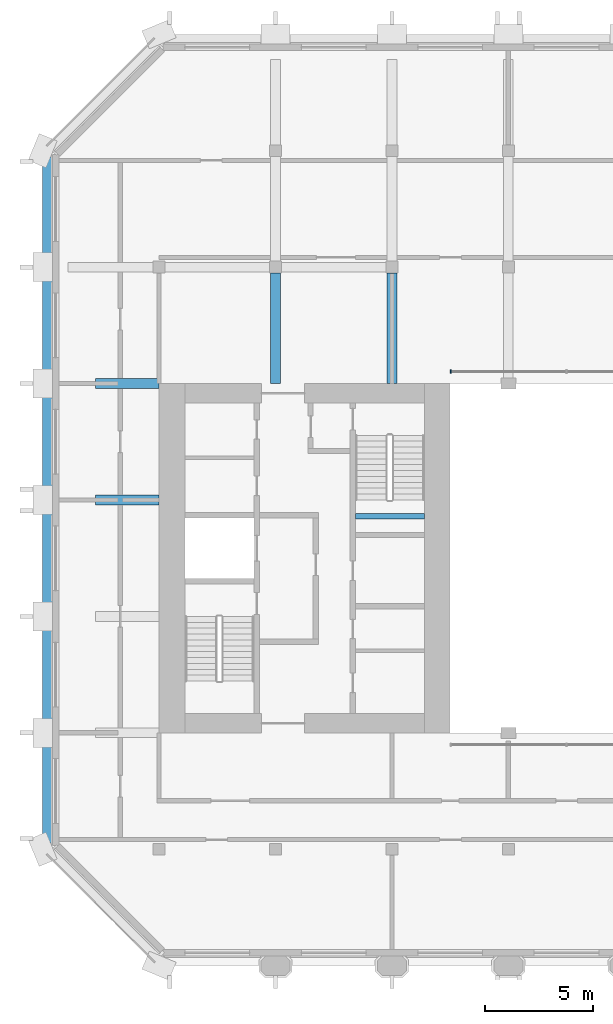
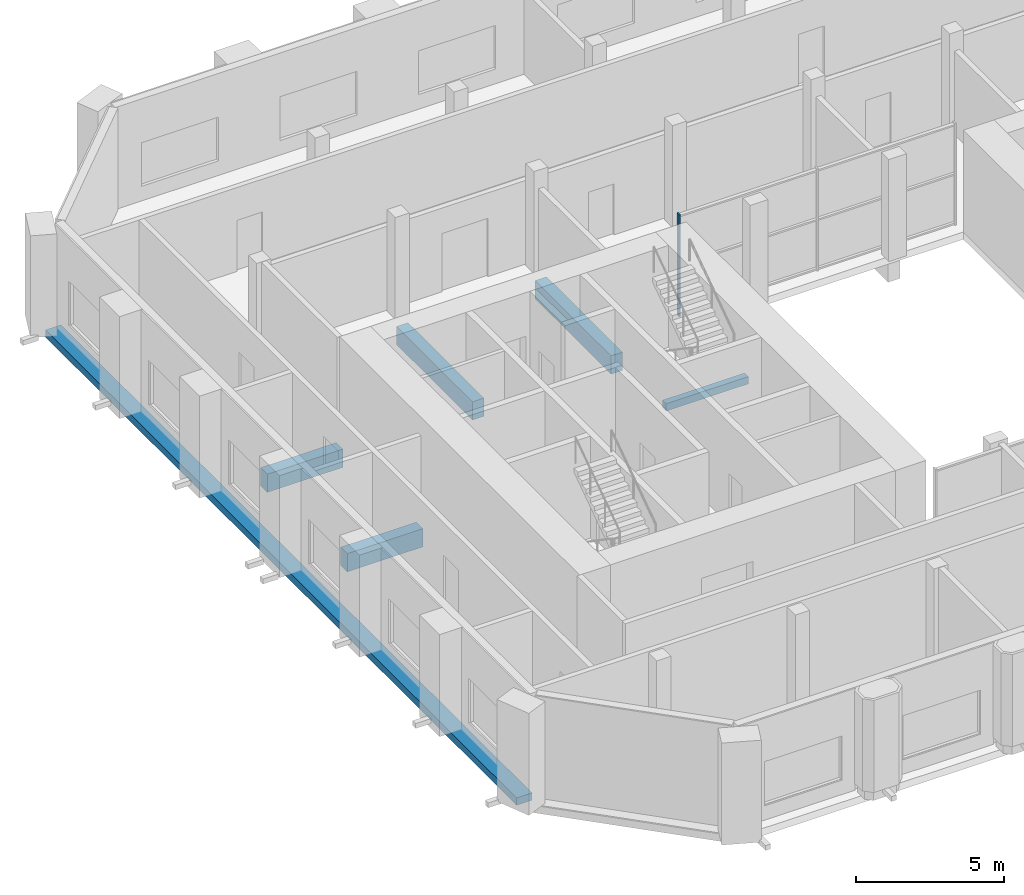
# One storey, part 3 of 11: 6 beams, 1 member, 1 element without a shape of its own.
"""IFC4 building model written with IfcOpenShell, lengths in metres."""

import ifcopenshell
import ifcopenshell.guid

model = None  # the IFC model being written
_history = None  # IfcOwnerHistory: only IFC2X3 demands one
_inside = {}  # id of a spatial element -> (the spatial element, [elements in it])
_under = {}  # id of a project, library or spatial element -> (it, [spatial elements below it])
_declared = {}  # id of a project -> (the project, [libraries it declares])
_typed = {}  # id of a type object -> (the type object, [elements of that type])
_made_of = {}  # id of a material, layer set ... -> (it, [elements and type objects made of it])


def new_model(schema):
    """Start an empty IFC model of exactly this schema.

    Asked for "IFC4X3", IfcOpenShell would pick the latest addendum, in which some entities
    have other attributes; the version numbers below select the first issue.
    IFC2X3 requires an IfcOwnerHistory on every rooted entity: one is made here for all.
    """
    global model, _history
    if schema == "IFC4X3":
        model = ifcopenshell.file(schema_version=(4, 3, 0, 0))
    else:
        model = ifcopenshell.file(schema=schema)
    _inside.clear()
    _under.clear()
    _declared.clear()
    _typed.clear()
    _made_of.clear()
    _history = None
    if model.schema == "IFC2X3":
        org = make("IfcOrganization", Name="unknown")
        user = make(
            "IfcPersonAndOrganization",
            ThePerson=make("IfcPerson", FamilyName="unknown"),
            TheOrganization=org,
        )
        app = make(
            "IfcApplication",
            ApplicationDeveloper=org,
            Version="unknown",
            ApplicationFullName="unknown",
            ApplicationIdentifier="unknown",
        )
        _history = make(
            "IfcOwnerHistory",
            OwningUser=user,
            OwningApplication=app,
            ChangeAction="ADDED",
            CreationDate=0,
        )
    return model


def make(cls, **values):
    """One entity of the class cls with the attributes given. An attribute that is None is left unset."""
    return model.create_entity(
        cls, **{name: value for name, value in values.items() if value is not None}
    )


def rooted(cls, **values):
    """An entity with a GlobalId (a new one), such as an element, a storey or a relation."""
    return make(cls, GlobalId=ifcopenshell.guid.new(), OwnerHistory=_history, **values)


def si_unit(unit_type, name, prefix=None):
    """IfcSIUnit, for example si_unit("LENGTHUNIT", "METRE", prefix="MILLI")."""
    return make("IfcSIUnit", UnitType=unit_type, Prefix=prefix, Name=name)


def assignment(units):
    """IfcUnitAssignment: the units of a project."""
    return None if units is None else make("IfcUnitAssignment", Units=units)


def point(xyz):
    """IfcCartesianPoint."""
    return None if xyz is None else make("IfcCartesianPoint", Coordinates=xyz)


def direction(xyz):
    """IfcDirection."""
    return None if xyz is None else make("IfcDirection", DirectionRatios=xyz)


def frame(location, z_axis=None, x_axis=None):
    """IfcAxis2Placement3D, a coordinate frame: its origin and axes. An axis left out is left unset."""
    return make(
        "IfcAxis2Placement3D",
        Location=point(location),
        Axis=direction(z_axis),
        RefDirection=direction(x_axis),
    )


def frame_2d(location, x_axis=None):
    """IfcAxis2Placement2D, a coordinate frame in the plane: its origin and x axis."""
    return make(
        "IfcAxis2Placement2D", Location=point(location), RefDirection=direction(x_axis)
    )


def origin():
    """The frame at (0, 0, 0) with its axes left unset."""
    return frame((0.0, 0.0, 0.0))


def origin_2d():
    """The frame at (0, 0) in the plane with its x axis left unset."""
    return frame_2d((0.0, 0.0))


def place(relative_to, where):
    """IfcLocalPlacement: puts the frame where relative to a parent placement (None: the world)."""
    return make(
        "IfcLocalPlacement", PlacementRelTo=relative_to, RelativePlacement=where
    )


def context(
    kind, dimensions, precision=None, world=None, true_north=None, identifier=None
):
    """IfcGeometricRepresentationContext, for example the 3D "Model" context."""
    return make(
        "IfcGeometricRepresentationContext",
        ContextIdentifier=identifier,
        ContextType=kind,
        CoordinateSpaceDimension=dimensions,
        Precision=precision,
        WorldCoordinateSystem=world,
        TrueNorth=true_north,
    )


def subcontext(parent, identifier, kind, view, scale=None):
    """IfcGeometricRepresentationSubContext, for example "Body" below "Model"."""
    return make(
        "IfcGeometricRepresentationSubContext",
        ContextIdentifier=identifier,
        ContextType=kind,
        ParentContext=parent,
        TargetScale=scale,
        TargetView=view,
    )


def project(units=None, contexts=None):
    """IfcProject with its units and contexts."""
    return rooted(
        "IfcProject",
        Name="project",
        RepresentationContexts=contexts,
        UnitsInContext=assignment(units),
    )


def spatial(cls, under=None, at=None, **own):
    """A site, building, storey or space (cls), placed at a placement, below another one or the project."""
    s = rooted(cls, ObjectPlacement=at, **own)
    if under is not None:
        _under.setdefault(under.id(), (under, []))[1].append(s)
    return s


def profile(cls, at=None, kind="AREA", **sizes):
    """A parametric profile (cls). Its sizes go by their IFC names, for example OverallWidth=200.0."""
    return make(cls, ProfileType=kind, Position=at, **sizes)


def rectangle(**sizes):
    """IfcRectangleProfileDef."""
    return profile("IfcRectangleProfileDef", **sizes)


def extrude(swept, where, along, depth):
    """IfcExtrudedAreaSolid: the profile swept, set in the frame where, extruded along a direction by depth."""
    return make(
        "IfcExtrudedAreaSolid",
        SweptArea=swept,
        Position=where,
        ExtrudedDirection=direction(along),
        Depth=depth,
    )


def shape(context_of_items, identifier, shape_type, items):
    """IfcShapeRepresentation: the items that make up one representation, for example the "Body"."""
    return make(
        "IfcShapeRepresentation",
        ContextOfItems=context_of_items,
        RepresentationIdentifier=identifier,
        RepresentationType=shape_type,
        Items=items,
    )


def material(Name=None, Category=None):
    """IfcMaterial."""
    return make("IfcMaterial", Name=Name, Category=Category)


def material_profile(
    of_material, cross_section, Name=None, Category=None, Priority=None
):
    """IfcMaterialProfile: a cross section and its material."""
    return make(
        "IfcMaterialProfile",
        Name=Name,
        Material=of_material,
        Profile=cross_section,
        Priority=Priority,
        Category=Category,
    )


def profile_set(profiles, Name=None, composite=None):
    """IfcMaterialProfileSet."""
    return make(
        "IfcMaterialProfileSet",
        Name=Name,
        MaterialProfiles=profiles,
        CompositeProfile=composite,
    )


def made_of(thing, what):
    """Note that an element or type object is made of a material, layer set ...; save() writes the relation."""
    if what is not None:
        _made_of.setdefault(what.id(), (what, []))[1].append(thing)
    return thing


def type_object(cls, material=None, **own):
    """A type object (cls), such as IfcWallType, which elements share."""
    return made_of(rooted(cls, **own), material)


def element(
    cls,
    number,
    at=None,
    inside=None,
    cuts=None,
    type_object=None,
    material=None,
    context=None,
    identifier="Body",
    shape_type=None,
    held_by="IfcProductDefinitionShape",
    body=None,
    shapes=None,
    **own,
):
    """One element of the class cls, such as IfcWall. Its Tag is "e" and its number.

    at: its placement. inside: the storey or other place that contains it. cuts: it is an
    opening in that element (IfcRelVoidsElement). A single representation is given by context,
    identifier, shape_type and body (its items); several are given by shapes. held_by: the class
    of the entity that holds the representations. save() writes the other relations.
    """
    e = rooted(cls, Tag="e%d" % number, ObjectPlacement=at, **own)
    if body is not None:
        shapes = [shape(context, identifier, shape_type, body)]
    if shapes is not None:
        e.Representation = make(held_by, Representations=shapes)
    if inside is not None:
        _inside.setdefault(inside.id(), (inside, []))[1].append(e)
    if cuts is not None:
        rooted(
            "IfcRelVoidsElement", RelatingBuildingElement=cuts, RelatedOpeningElement=e
        )
    if type_object is not None:
        _typed.setdefault(type_object.id(), (type_object, []))[1].append(e)
    return made_of(e, material)


def aggregate(whole, parts):
    """IfcRelAggregates: a whole, such as a stair, and the parts it consists of."""
    return rooted("IfcRelAggregates", RelatingObject=whole, RelatedObjects=parts)


def save(model, path):
    """Write the relations noted so far, then the file.

    IfcRelAggregates (storeys below a building ...), IfcRelContainedInSpatialStructure (elements
    in a storey), IfcRelDefinesByType, IfcRelAssociatesMaterial and IfcRelDeclares: one each for
    every whole, place, type object, material and project.
    """
    for whole, parts in _under.values():
        aggregate(whole, parts)
    for where, things in _inside.values():
        rooted(
            "IfcRelContainedInSpatialStructure",
            RelatedElements=things,
            RelatingStructure=where,
        )
    for kind, things in _typed.values():
        rooted("IfcRelDefinesByType", RelatedObjects=things, RelatingType=kind)
    for what, things in _made_of.values():
        rooted("IfcRelAssociatesMaterial", RelatedObjects=things, RelatingMaterial=what)
    for by, libraries in _declared.values():
        rooted("IfcRelDeclares", RelatingContext=by, RelatedDefinitions=libraries)
    model.write(path)


model = new_model("IFC4")

# Units and contexts
model_context = context("Model", 3, precision=1e-05, world=origin(), true_north=direction((0.0, 1.0)))
body_context = subcontext(model_context, "Body", "Model", "MODEL_VIEW")
ifc_project = project(units=[si_unit("LENGTHUNIT", "METRE"), si_unit("AREAUNIT", "SQUARE_METRE"), si_unit("VOLUMEUNIT", "CUBIC_METRE"), si_unit("PLANEANGLEUNIT", "RADIAN"), si_unit("MASSUNIT", "GRAM", prefix="KILO")], contexts=[model_context])

# Site, building, storey
site_placement = place(None, origin())
site = spatial("IfcSite", under=ifc_project, at=site_placement, CompositionType="ELEMENT")
building_placement = place(site_placement, origin())
building = spatial("IfcBuilding", under=site, at=building_placement, Name="Tabaq Tower and Sports Hall", CompositionType="ELEMENT")
storey_placement = place(building_placement, frame((0.0, 0.0, 312.699951171875)))
storey = spatial("IfcBuildingStorey", under=building, at=storey_placement, Name="L78", CompositionType="ELEMENT", Elevation=312.699951171875)

# Curtain wall, member
ifc_material_1 = material(Name="Aluminium alloy 6063-T6 framed glazing", Category="aluminium")
curtain_wall_type = type_object("IfcCurtainWallType", Name="CW1 curtain wall", PredefinedType="USERDEFINED", material=ifc_material_1)
curtain_wall_placement = place(storey_placement, origin())
curtain_wall = element("IfcCurtainWall", 1, at=curtain_wall_placement, inside=storey, type_object=curtain_wall_type, Name="Atrium glazing L78 N", ObjectType="ATRIUM ENCLOSURE", PredefinedType="USERDEFINED")
ifc_material_2 = material(Name="Aluminium alloy 6063-T6", Category="aluminium")
ifc_material_profile_1 = material_profile(ifc_material_2, rectangle(XDim=0.159912109375, YDim=0.06005859375, at=origin_2d()), Name="MULLION 160x60")
ifc_profile_set_1 = profile_set([ifc_material_profile_1], Name="Aluminium alloy 6063-T6")
member_type = type_object("IfcMemberType", Name="CW1 mullion 160x60", PredefinedType="MULLION", material=ifc_profile_set_1)
member_placement = place(storey_placement, frame((18.929931640625, 32.949951171875, 0.0), z_axis=(0.0, 0.0, 1.0), x_axis=(0.0, 1.0, 0.0)))
member = element("IfcMember", 2, at=member_placement, type_object=member_type, Name="CW1 mullion 1", PredefinedType="MULLION", context=body_context, shape_type="SweptSolid", body=[
    extrude(rectangle(XDim=0.159912109375, YDim=0.06005859375, at=origin_2d()), origin(), (0.0, 0.0, 1.0), 4.199951171875),
])
aggregate(curtain_wall, [member])

# Beams
ifc_material_3 = material(Name="Concrete C40/50", Category="concrete")
ifc_material_profile_2 = material_profile(ifc_material_3, rectangle(XDim=0.449951171875, YDim=0.75, at=origin_2d()), Name="CB 450x750")
ifc_profile_set_2 = profile_set([ifc_material_profile_2], Name="Concrete C40/50")
beam_type_1 = type_object("IfcBeamType", Name="PT CANTILEVER BEAM CB 450x750 C40/50", PredefinedType="BEAM", material=ifc_profile_set_2)
for number, where, z_axis, x_axis, name in (
    (3, (2.449951171875, 27.0, -0.675048828125), (1.0, 0.0, 0.0), (0.0, 1.0, 0.0), "Cantilever Beam L78 W5 span 1"),
    (4, (2.449951171875, 32.39990234375, -0.675048828125), (1.0, 0.0, 0.0), (0.0, 1.0, 0.0), "Cantilever Beam L78 W6 span 1"),
):
    element("IfcBeam", number, at=place(storey_placement, frame(where, z_axis=z_axis, x_axis=x_axis)), inside=storey, type_object=beam_type_1, Name=name, PredefinedType="BEAM", context=body_context, shape_type="SweptSolid", body=[
        extrude(rectangle(XDim=0.449951171875, YDim=0.75, at=origin_2d()), origin(), (0.0, 0.0, 1.0), 2.949951171875),
    ])
for number, where, z_axis, x_axis, name in (
    (5, (10.800048828125, 37.52490234375, -0.675048828125), (0.0, -1.0, 0.0), (1.0, 0.0, 0.0), "Cantilever Beam L78 N2 span 3"),
    (6, (16.199951171875, 37.52490234375, -0.675048828125), (0.0, -1.0, 0.0), (1.0, 0.0, 0.0), "Cantilever Beam L78 N3 span 3"),
):
    element("IfcBeam", number, at=place(storey_placement, frame(where, z_axis=z_axis, x_axis=x_axis)), inside=storey, type_object=beam_type_1, Name=name, PredefinedType="BEAM", context=body_context, shape_type="SweptSolid", body=[
        extrude(rectangle(XDim=0.449951171875, YDim=0.75, at=origin_2d()), origin(), (0.0, 0.0, 1.0), 5.125),
    ])
ifc_material_4 = material(Name="Concrete C40/50", Category="concrete")
ifc_material_profile_3 = material_profile(ifc_material_4, rectangle(XDim=0.60009765625, YDim=0.300048828125, at=origin_2d()), Name="EB 600x300")
ifc_profile_set_3 = profile_set([ifc_material_profile_3], Name="Concrete C40/50")
beam_type_2 = type_object("IfcBeamType", Name="PT EDGE BEAM EB 600x300 C40/50", PredefinedType="SPANDREL", material=ifc_profile_set_3)
beam_1_placement = place(storey_placement, frame((0.300048828125, 42.9013671875, -0.14990234375), z_axis=(0.0, -1.0, 0.0), x_axis=(1.0, 0.0, 0.0)))
element("IfcBeam", 7, at=beam_1_placement, inside=storey, type_object=beam_type_2, Name="Edge Beam L78 4", PredefinedType="SPANDREL", context=body_context, shape_type="SweptSolid", body=[
    extrude(rectangle(XDim=0.60009765625, YDim=0.300048828125, at=origin_2d()), origin(), (0.0, 0.0, 1.0), 31.802734375),
])
ifc_material_5 = material(Name="Concrete C40/50", Category="concrete")
ifc_material_profile_4 = material_profile(ifc_material_5, rectangle(XDim=0.25, YDim=0.300048828125, at=origin_2d()), Name="RC 250x300")
ifc_profile_set_4 = profile_set([ifc_material_profile_4], Name="Concrete C40/50")
beam_type_3 = type_object("IfcBeamType", Name="Stair landing beam 250x300", PredefinedType="BEAM", material=ifc_profile_set_4)
beam_2_placement = place(storey_placement, frame((14.5, 26.25, 1.900146484375), z_axis=(1.0, 0.0, 0.0), x_axis=(0.0, 1.0, 0.0)))
element("IfcBeam", 8, at=beam_2_placement, inside=storey, type_object=beam_type_3, Name="L78 ST2 landing beam 1", PredefinedType="BEAM", context=body_context, shape_type="SweptSolid", body=[
    extrude(rectangle(XDim=0.25, YDim=0.300048828125, at=origin_2d()), origin(), (0.0, 0.0, 1.0), 3.199951171875),
])

save(model, "model.ifc")
